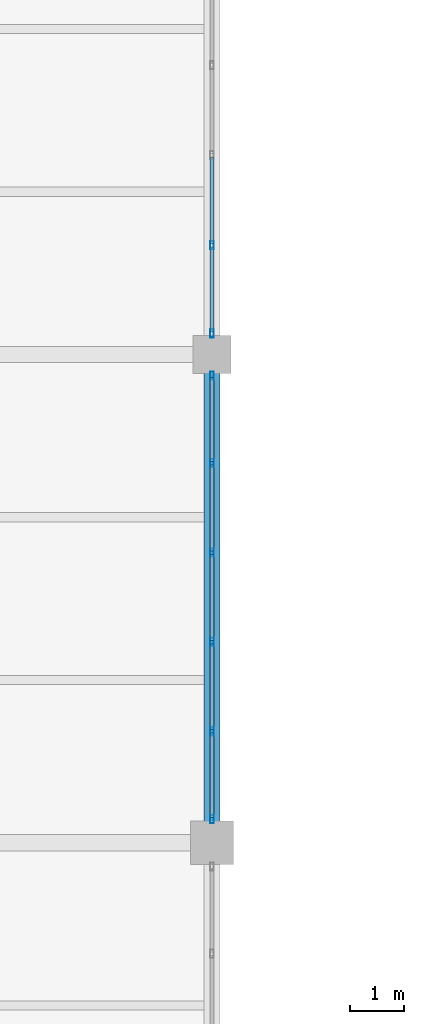
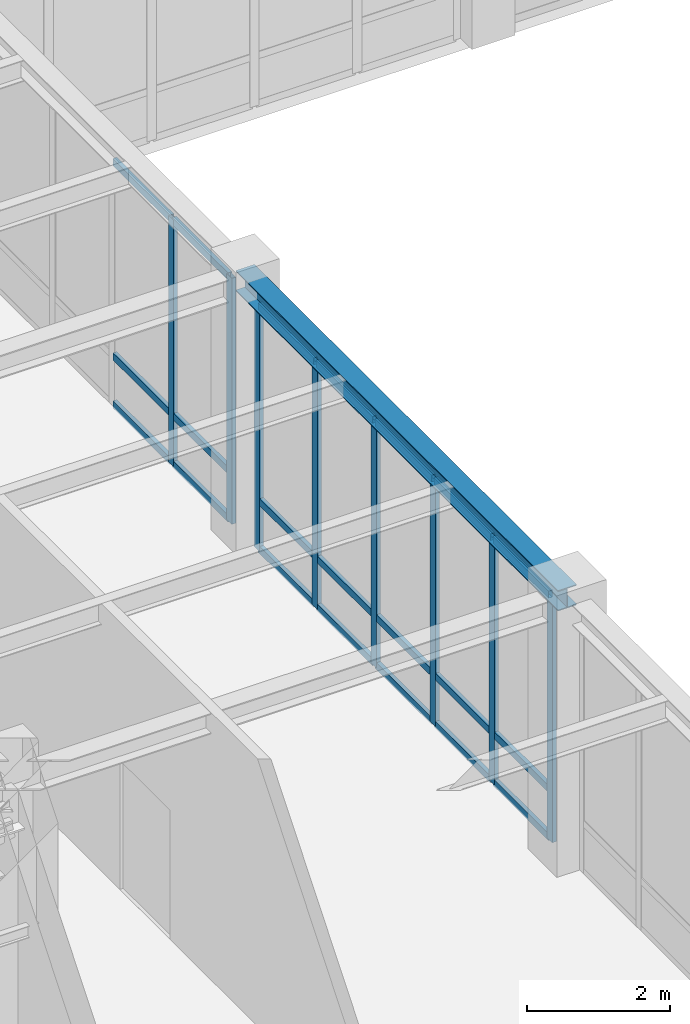
# One storey, part 25 of 92: 29 members, 1 beam, 2 elements without a shape of their own.
"""IFC4 building model written with IfcOpenShell, lengths in metres."""

from ifc_helpers import new_model, si_unit, direction, frame, origin, origin_2d, place, context, subcontext, project, spatial, hollow_rectangle, i_section, extrude, material, material_profile, profile_set, type_object, element, aggregate, save


model = new_model("IFC4")

# Units and contexts
model_context = context("Model", 3, precision=1e-05, world=origin(), true_north=direction((0.0, 1.0)))
body_context = subcontext(model_context, "Body", "Model", "MODEL_VIEW")
ifc_project = project(units=[si_unit("LENGTHUNIT", "METRE"), si_unit("AREAUNIT", "SQUARE_METRE"), si_unit("VOLUMEUNIT", "CUBIC_METRE"), si_unit("PLANEANGLEUNIT", "RADIAN"), si_unit("MASSUNIT", "GRAM", prefix="KILO")], contexts=[model_context])

# Site, building, storey
site_placement = place(None, origin())
site = spatial("IfcSite", under=ifc_project, at=site_placement, CompositionType="ELEMENT")
building_placement = place(site_placement, origin())
building = spatial("IfcBuilding", under=site, at=building_placement, Name="Lykobir Media Centre", CompositionType="ELEMENT")
storey_placement = place(building_placement, frame((0.0, 0.0, 5.39990234375)))
storey = spatial("IfcBuildingStorey", under=building, at=storey_placement, Name="L01", CompositionType="ELEMENT", Elevation=5.39990234375)

# Beam
ifc_material_1 = material(Name="Steel S355", Category="steel")
ifc_material_profile_1 = material_profile(ifc_material_1, i_section(OverallWidth=0.300048828125, OverallDepth=0.35009765625, WebThickness=0.010009765625, FlangeThickness=0.017578125, at=origin_2d()), Name="HEA 360")
ifc_profile_set_1 = profile_set([ifc_material_profile_1], Name="Steel S355")
beam_type = type_object("IfcBeamType", Name="BM-HEA360", PredefinedType="BEAM", material=ifc_profile_set_1)
beam_placement = place(storey_placement, frame((36.0, 45.0, 4.385009765625), z_axis=(0.0, 1.0, 0.0), x_axis=(-1.0, 0.0, 0.0)))
element("IfcBeam", 1, at=beam_placement, inside=storey, type_object=beam_type, Name="Beam BM-L01-0360-0450-0360-0540-978", PredefinedType="BEAM", context=body_context, shape_type="SweptSolid", body=[
    extrude(i_section(OverallWidth=0.300048828125, OverallDepth=0.35009765625, WebThickness=0.010009765625, FlangeThickness=0.017578125, at=origin_2d()), origin(), (0.0, 0.0, 1.0), 9.0),
])

# Curtain wall, members
ifc_material_2 = material(Name="Anodized Aluminium AW-6060", Category="aluminium")
curtain_wall_type = type_object("IfcCurtainWallType", Name="CW-COURT-A", PredefinedType="NOTDEFINED", material=ifc_material_2)
curtain_wall_1_placement = place(storey_placement, origin())
curtain_wall_1 = element("IfcCurtainWall", 2, at=curtain_wall_1_placement, inside=storey, type_object=curtain_wall_type, Name="Curtain wall CW2-L01-0051", PredefinedType="NOTDEFINED")
ifc_material_profile_2 = material_profile(ifc_material_2, hollow_rectangle(XDim=0.06494140625, YDim=0.14990234375, WallThickness=0.00341796875, at=origin_2d()), Name="ALU MULLION 65x150")
ifc_profile_set_2 = profile_set([ifc_material_profile_2], Name="Anodized Aluminium AW-6060")
member_type_1 = type_object("IfcMemberType", Name="CWM-150", PredefinedType="MULLION", material=ifc_profile_set_2)
member_1_placement = place(storey_placement, frame((36.0, 53.612548828125, 0.0), z_axis=(0.0, 0.0, 1.0), x_axis=(1.0, 0.0, 0.0)))
member_1 = element("IfcMember", 3, at=member_1_placement, type_object=member_type_1, Name="CW2-L01-0051 mullion 1", PredefinedType="MULLION", context=body_context, shape_type="SweptSolid", body=[
    extrude(hollow_rectangle(XDim=0.06494140625, YDim=0.14990234375, WallThickness=0.00341796875, at=origin_2d()), origin(), (0.0, 0.0, 1.0), 4.195068359375),
])
member_2_placement = place(storey_placement, frame((36.0, 51.9970703125, 0.0), z_axis=(0.0, 0.0, 1.0), x_axis=(1.0, 0.0, 0.0)))
member_2 = element("IfcMember", 4, at=member_2_placement, type_object=member_type_1, Name="CW2-L01-0051 mullion 2", PredefinedType="MULLION", context=body_context, shape_type="SweptSolid", body=[
    extrude(hollow_rectangle(XDim=0.06494140625, YDim=0.14990234375, WallThickness=0.00341796875, at=origin_2d()), origin(), (0.0, 0.0, 1.0), 4.195068359375),
])
member_3_placement = place(storey_placement, frame((36.0, 50.34912109375, 0.0), z_axis=(0.0, 0.0, 1.0), x_axis=(1.0, 0.0, 0.0)))
member_3 = element("IfcMember", 5, at=member_3_placement, type_object=member_type_1, Name="CW2-L01-0051 mullion 3", PredefinedType="MULLION", context=body_context, shape_type="SweptSolid", body=[
    extrude(hollow_rectangle(XDim=0.06494140625, YDim=0.14990234375, WallThickness=0.00341796875, at=origin_2d()), origin(), (0.0, 0.0, 1.0), 4.195068359375),
])
member_4_placement = place(storey_placement, frame((36.0, 48.700927734375, 0.0), z_axis=(0.0, 0.0, 1.0), x_axis=(1.0, 0.0, 0.0)))
member_4 = element("IfcMember", 6, at=member_4_placement, type_object=member_type_1, Name="CW2-L01-0051 mullion 4", PredefinedType="MULLION", context=body_context, shape_type="SweptSolid", body=[
    extrude(hollow_rectangle(XDim=0.06494140625, YDim=0.14990234375, WallThickness=0.00341796875, at=origin_2d()), origin(), (0.0, 0.0, 1.0), 4.195068359375),
])
member_5_placement = place(storey_placement, frame((36.0, 47.052978515625, 0.0), z_axis=(0.0, 0.0, 1.0), x_axis=(1.0, 0.0, 0.0)))
member_5 = element("IfcMember", 7, at=member_5_placement, type_object=member_type_1, Name="CW2-L01-0051 mullion 5", PredefinedType="MULLION", context=body_context, shape_type="SweptSolid", body=[
    extrude(hollow_rectangle(XDim=0.06494140625, YDim=0.14990234375, WallThickness=0.00341796875, at=origin_2d()), origin(), (0.0, 0.0, 1.0), 4.195068359375),
])
member_6_placement = place(storey_placement, frame((36.0, 45.4375, 0.0), z_axis=(0.0, 0.0, 1.0), x_axis=(1.0, 0.0, 0.0)))
member_6 = element("IfcMember", 8, at=member_6_placement, type_object=member_type_1, Name="CW2-L01-0051 mullion 6", PredefinedType="MULLION", context=body_context, shape_type="SweptSolid", body=[
    extrude(hollow_rectangle(XDim=0.06494140625, YDim=0.14990234375, WallThickness=0.00341796875, at=origin_2d()), origin(), (0.0, 0.0, 1.0), 4.195068359375),
])

curtain_wall_2_placement = place(storey_placement, origin())
curtain_wall_2 = element("IfcCurtainWall", 9, at=curtain_wall_2_placement, inside=storey, type_object=curtain_wall_type, Name="Curtain wall CW2-L01-0052", PredefinedType="NOTDEFINED")
member_7_placement = place(storey_placement, frame((36.0, 56.012939453125, 0.0), z_axis=(0.0, 0.0, 1.0), x_axis=(1.0, 0.0, 0.0)))
member_7 = element("IfcMember", 10, at=member_7_placement, type_object=member_type_1, Name="CW2-L01-0052 mullion 5", PredefinedType="MULLION", context=body_context, shape_type="SweptSolid", body=[
    extrude(hollow_rectangle(XDim=0.06494140625, YDim=0.14990234375, WallThickness=0.00341796875, at=origin_2d()), origin(), (0.0, 0.0, 1.0), 4.195068359375),
])
member_8_placement = place(storey_placement, frame((36.0, 54.387451171875, 0.0), z_axis=(0.0, 0.0, 1.0), x_axis=(1.0, 0.0, 0.0)))
member_8 = element("IfcMember", 11, at=member_8_placement, type_object=member_type_1, Name="CW2-L01-0052 mullion 6", PredefinedType="MULLION", context=body_context, shape_type="SweptSolid", body=[
    extrude(hollow_rectangle(XDim=0.06494140625, YDim=0.14990234375, WallThickness=0.00341796875, at=origin_2d()), origin(), (0.0, 0.0, 1.0), 4.195068359375),
])

# Member
ifc_material_profile_3 = material_profile(ifc_material_2, hollow_rectangle(XDim=0.06494140625, YDim=0.1201171875, WallThickness=0.0029296875, at=origin_2d()), Name="ALU TRANSOM 65x120")
ifc_profile_set_3 = profile_set([ifc_material_profile_3], Name="Anodized Aluminium AW-6060")
member_type_2 = type_object("IfcMemberType", Name="CWT-120", PredefinedType="USERDEFINED", material=ifc_profile_set_3)
member_9_placement = place(storey_placement, frame((36.0, 53.580078125, 0.03271484375), z_axis=(0.0, -1.0, 0.0), x_axis=(1.0, 0.0, 0.0)))
member_9 = element("IfcMember", 12, at=member_9_placement, type_object=member_type_2, Name="CW2-L01-0051 transom 1.1", ObjectType="TRANSOM", PredefinedType="USERDEFINED", context=body_context, shape_type="SweptSolid", body=[
    extrude(hollow_rectangle(XDim=0.06494140625, YDim=0.1201171875, WallThickness=0.0029296875, at=origin_2d()), origin(), (0.0, 0.0, 1.0), 1.550537109375),
])

member_10_placement = place(storey_placement, frame((36.0, 53.580078125, 0.85009765625), z_axis=(0.0, -1.0, 0.0), x_axis=(1.0, 0.0, 0.0)))
member_10 = element("IfcMember", 13, at=member_10_placement, type_object=member_type_2, Name="CW2-L01-0051 transom 1.2", ObjectType="TRANSOM", PredefinedType="USERDEFINED", context=body_context, shape_type="SweptSolid", body=[
    extrude(hollow_rectangle(XDim=0.06494140625, YDim=0.1201171875, WallThickness=0.0029296875, at=origin_2d()), origin(), (0.0, 0.0, 1.0), 1.550537109375),
])

member_11_placement = place(storey_placement, frame((36.0, 53.580078125, 4.16259765625), z_axis=(0.0, -1.0, 0.0), x_axis=(1.0, 0.0, 0.0)))
member_11 = element("IfcMember", 14, at=member_11_placement, type_object=member_type_2, Name="CW2-L01-0051 transom 1.3", ObjectType="TRANSOM", PredefinedType="USERDEFINED", context=body_context, shape_type="SweptSolid", body=[
    extrude(hollow_rectangle(XDim=0.06494140625, YDim=0.1201171875, WallThickness=0.0029296875, at=origin_2d()), origin(), (0.0, 0.0, 1.0), 1.550537109375),
])

member_12_placement = place(storey_placement, frame((36.0, 51.964599609375, 0.03271484375), z_axis=(0.0, -1.0, 0.0), x_axis=(1.0, 0.0, 0.0)))
member_12 = element("IfcMember", 15, at=member_12_placement, type_object=member_type_2, Name="CW2-L01-0051 transom 2.1", ObjectType="TRANSOM", PredefinedType="USERDEFINED", context=body_context, shape_type="SweptSolid", body=[
    extrude(hollow_rectangle(XDim=0.06494140625, YDim=0.1201171875, WallThickness=0.0029296875, at=origin_2d()), origin(), (0.0, 0.0, 1.0), 1.5830078125),
])

member_13_placement = place(storey_placement, frame((36.0, 51.964599609375, 0.85009765625), z_axis=(0.0, -1.0, 0.0), x_axis=(1.0, 0.0, 0.0)))
member_13 = element("IfcMember", 16, at=member_13_placement, type_object=member_type_2, Name="CW2-L01-0051 transom 2.2", ObjectType="TRANSOM", PredefinedType="USERDEFINED", context=body_context, shape_type="SweptSolid", body=[
    extrude(hollow_rectangle(XDim=0.06494140625, YDim=0.1201171875, WallThickness=0.0029296875, at=origin_2d()), origin(), (0.0, 0.0, 1.0), 1.5830078125),
])

member_14_placement = place(storey_placement, frame((36.0, 51.964599609375, 4.16259765625), z_axis=(0.0, -1.0, 0.0), x_axis=(1.0, 0.0, 0.0)))
member_14 = element("IfcMember", 17, at=member_14_placement, type_object=member_type_2, Name="CW2-L01-0051 transom 2.3", ObjectType="TRANSOM", PredefinedType="USERDEFINED", context=body_context, shape_type="SweptSolid", body=[
    extrude(hollow_rectangle(XDim=0.06494140625, YDim=0.1201171875, WallThickness=0.0029296875, at=origin_2d()), origin(), (0.0, 0.0, 1.0), 1.5830078125),
])

member_15_placement = place(storey_placement, frame((36.0, 50.31640625, 0.03271484375), z_axis=(0.0, -1.0, 0.0), x_axis=(1.0, 0.0, 0.0)))
member_15 = element("IfcMember", 18, at=member_15_placement, type_object=member_type_2, Name="CW2-L01-0051 transom 3.1", ObjectType="TRANSOM", PredefinedType="USERDEFINED", context=body_context, shape_type="SweptSolid", body=[
    extrude(hollow_rectangle(XDim=0.06494140625, YDim=0.1201171875, WallThickness=0.0029296875, at=origin_2d()), origin(), (0.0, 0.0, 1.0), 1.5830078125),
])

member_16_placement = place(storey_placement, frame((36.0, 50.31640625, 0.85009765625), z_axis=(0.0, -1.0, 0.0), x_axis=(1.0, 0.0, 0.0)))
member_16 = element("IfcMember", 19, at=member_16_placement, type_object=member_type_2, Name="CW2-L01-0051 transom 3.2", ObjectType="TRANSOM", PredefinedType="USERDEFINED", context=body_context, shape_type="SweptSolid", body=[
    extrude(hollow_rectangle(XDim=0.06494140625, YDim=0.1201171875, WallThickness=0.0029296875, at=origin_2d()), origin(), (0.0, 0.0, 1.0), 1.5830078125),
])

member_17_placement = place(storey_placement, frame((36.0, 50.31640625, 4.16259765625), z_axis=(0.0, -1.0, 0.0), x_axis=(1.0, 0.0, 0.0)))
member_17 = element("IfcMember", 20, at=member_17_placement, type_object=member_type_2, Name="CW2-L01-0051 transom 3.3", ObjectType="TRANSOM", PredefinedType="USERDEFINED", context=body_context, shape_type="SweptSolid", body=[
    extrude(hollow_rectangle(XDim=0.06494140625, YDim=0.1201171875, WallThickness=0.0029296875, at=origin_2d()), origin(), (0.0, 0.0, 1.0), 1.5830078125),
])

member_18_placement = place(storey_placement, frame((36.0, 48.66845703125, 0.03271484375), z_axis=(0.0, -1.0, 0.0), x_axis=(1.0, 0.0, 0.0)))
member_18 = element("IfcMember", 21, at=member_18_placement, type_object=member_type_2, Name="CW2-L01-0051 transom 4.1", ObjectType="TRANSOM", PredefinedType="USERDEFINED", context=body_context, shape_type="SweptSolid", body=[
    extrude(hollow_rectangle(XDim=0.06494140625, YDim=0.1201171875, WallThickness=0.0029296875, at=origin_2d()), origin(), (0.0, 0.0, 1.0), 1.5830078125),
])

member_19_placement = place(storey_placement, frame((36.0, 48.66845703125, 0.85009765625), z_axis=(0.0, -1.0, 0.0), x_axis=(1.0, 0.0, 0.0)))
member_19 = element("IfcMember", 22, at=member_19_placement, type_object=member_type_2, Name="CW2-L01-0051 transom 4.2", ObjectType="TRANSOM", PredefinedType="USERDEFINED", context=body_context, shape_type="SweptSolid", body=[
    extrude(hollow_rectangle(XDim=0.06494140625, YDim=0.1201171875, WallThickness=0.0029296875, at=origin_2d()), origin(), (0.0, 0.0, 1.0), 1.5830078125),
])

member_20_placement = place(storey_placement, frame((36.0, 48.66845703125, 4.16259765625), z_axis=(0.0, -1.0, 0.0), x_axis=(1.0, 0.0, 0.0)))
member_20 = element("IfcMember", 23, at=member_20_placement, type_object=member_type_2, Name="CW2-L01-0051 transom 4.3", ObjectType="TRANSOM", PredefinedType="USERDEFINED", context=body_context, shape_type="SweptSolid", body=[
    extrude(hollow_rectangle(XDim=0.06494140625, YDim=0.1201171875, WallThickness=0.0029296875, at=origin_2d()), origin(), (0.0, 0.0, 1.0), 1.5830078125),
])

member_21_placement = place(storey_placement, frame((36.0, 47.0205078125, 0.03271484375), z_axis=(0.0, -1.0, 0.0), x_axis=(1.0, 0.0, 0.0)))
member_21 = element("IfcMember", 24, at=member_21_placement, type_object=member_type_2, Name="CW2-L01-0051 transom 5.1", ObjectType="TRANSOM", PredefinedType="USERDEFINED", context=body_context, shape_type="SweptSolid", body=[
    extrude(hollow_rectangle(XDim=0.06494140625, YDim=0.1201171875, WallThickness=0.0029296875, at=origin_2d()), origin(), (0.0, 0.0, 1.0), 1.550537109375),
])

member_22_placement = place(storey_placement, frame((36.0, 47.0205078125, 0.85009765625), z_axis=(0.0, -1.0, 0.0), x_axis=(1.0, 0.0, 0.0)))
member_22 = element("IfcMember", 25, at=member_22_placement, type_object=member_type_2, Name="CW2-L01-0051 transom 5.2", ObjectType="TRANSOM", PredefinedType="USERDEFINED", context=body_context, shape_type="SweptSolid", body=[
    extrude(hollow_rectangle(XDim=0.06494140625, YDim=0.1201171875, WallThickness=0.0029296875, at=origin_2d()), origin(), (0.0, 0.0, 1.0), 1.550537109375),
])

member_23_placement = place(storey_placement, frame((36.0, 47.0205078125, 4.16259765625), z_axis=(0.0, -1.0, 0.0), x_axis=(1.0, 0.0, 0.0)))
member_23 = element("IfcMember", 26, at=member_23_placement, type_object=member_type_2, Name="CW2-L01-0051 transom 5.3", ObjectType="TRANSOM", PredefinedType="USERDEFINED", context=body_context, shape_type="SweptSolid", body=[
    extrude(hollow_rectangle(XDim=0.06494140625, YDim=0.1201171875, WallThickness=0.0029296875, at=origin_2d()), origin(), (0.0, 0.0, 1.0), 1.550537109375),
])

aggregate(curtain_wall_1, [member_1, member_2, member_3, member_4, member_5, member_6, member_9, member_10, member_11, member_12, member_13, member_14, member_15, member_16, member_17, member_18, member_19, member_20, member_21, member_22, member_23])

member_24_placement = place(storey_placement, frame((36.0, 57.638427734375, 0.03271484375), z_axis=(0.0, -1.0, 0.0), x_axis=(1.0, 0.0, 0.0)))
member_24 = element("IfcMember", 27, at=member_24_placement, type_object=member_type_2, Name="CW2-L01-0052 transom 4.1", ObjectType="TRANSOM", PredefinedType="USERDEFINED", context=body_context, shape_type="SweptSolid", body=[
    extrude(hollow_rectangle(XDim=0.06494140625, YDim=0.1201171875, WallThickness=0.0029296875, at=origin_2d()), origin(), (0.0, 0.0, 1.0), 1.593017578125),
])

member_25_placement = place(storey_placement, frame((36.0, 57.638427734375, 0.85009765625), z_axis=(0.0, -1.0, 0.0), x_axis=(1.0, 0.0, 0.0)))
member_25 = element("IfcMember", 28, at=member_25_placement, type_object=member_type_2, Name="CW2-L01-0052 transom 4.2", ObjectType="TRANSOM", PredefinedType="USERDEFINED", context=body_context, shape_type="SweptSolid", body=[
    extrude(hollow_rectangle(XDim=0.06494140625, YDim=0.1201171875, WallThickness=0.0029296875, at=origin_2d()), origin(), (0.0, 0.0, 1.0), 1.593017578125),
])

member_26_placement = place(storey_placement, frame((36.0, 57.638427734375, 4.16259765625), z_axis=(0.0, -1.0, 0.0), x_axis=(1.0, 0.0, 0.0)))
member_26 = element("IfcMember", 29, at=member_26_placement, type_object=member_type_2, Name="CW2-L01-0052 transom 4.3", ObjectType="TRANSOM", PredefinedType="USERDEFINED", context=body_context, shape_type="SweptSolid", body=[
    extrude(hollow_rectangle(XDim=0.06494140625, YDim=0.1201171875, WallThickness=0.0029296875, at=origin_2d()), origin(), (0.0, 0.0, 1.0), 1.593017578125),
])

member_27_placement = place(storey_placement, frame((36.0, 55.98046875, 0.03271484375), z_axis=(0.0, -1.0, 0.0), x_axis=(1.0, 0.0, 0.0)))
member_27 = element("IfcMember", 30, at=member_27_placement, type_object=member_type_2, Name="CW2-L01-0052 transom 5.1", ObjectType="TRANSOM", PredefinedType="USERDEFINED", context=body_context, shape_type="SweptSolid", body=[
    extrude(hollow_rectangle(XDim=0.06494140625, YDim=0.1201171875, WallThickness=0.0029296875, at=origin_2d()), origin(), (0.0, 0.0, 1.0), 1.560546875),
])

member_28_placement = place(storey_placement, frame((36.0, 55.98046875, 0.85009765625), z_axis=(0.0, -1.0, 0.0), x_axis=(1.0, 0.0, 0.0)))
member_28 = element("IfcMember", 31, at=member_28_placement, type_object=member_type_2, Name="CW2-L01-0052 transom 5.2", ObjectType="TRANSOM", PredefinedType="USERDEFINED", context=body_context, shape_type="SweptSolid", body=[
    extrude(hollow_rectangle(XDim=0.06494140625, YDim=0.1201171875, WallThickness=0.0029296875, at=origin_2d()), origin(), (0.0, 0.0, 1.0), 1.560546875),
])

member_29_placement = place(storey_placement, frame((36.0, 55.98046875, 4.16259765625), z_axis=(0.0, -1.0, 0.0), x_axis=(1.0, 0.0, 0.0)))
member_29 = element("IfcMember", 32, at=member_29_placement, type_object=member_type_2, Name="CW2-L01-0052 transom 5.3", ObjectType="TRANSOM", PredefinedType="USERDEFINED", context=body_context, shape_type="SweptSolid", body=[
    extrude(hollow_rectangle(XDim=0.06494140625, YDim=0.1201171875, WallThickness=0.0029296875, at=origin_2d()), origin(), (0.0, 0.0, 1.0), 1.560546875),
])

aggregate(curtain_wall_2, [member_7, member_8, member_24, member_25, member_26, member_27, member_28, member_29])

save(model, "model.ifc")
